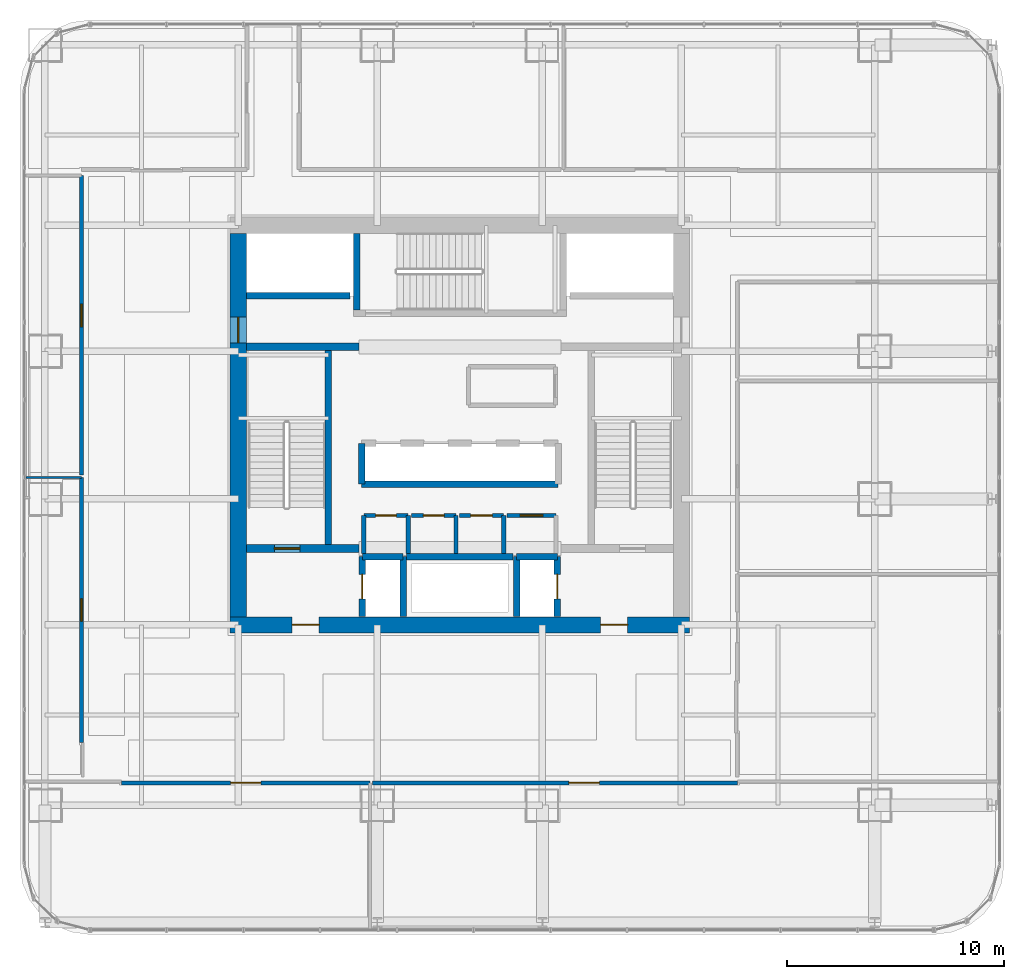
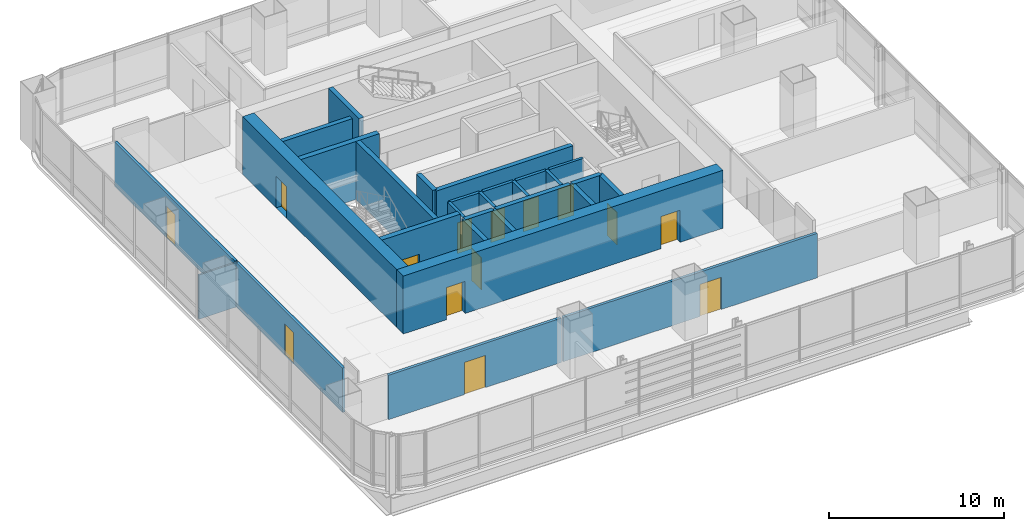
# One storey, part 27 of 35: 29 walls, 14 doors, 14 openings.
"""IFC4 building model written with IfcOpenShell, lengths in metres."""

from ifc_helpers import new_model, si_unit, direction, frame, frame_2d, origin, place, context, subcontext, project, spatial, rectangle, extrude, material, layer, layer_set, type_object, element, fill, save


model = new_model("IFC4")

# Units and contexts
model_context = context("Model", 3, precision=1e-05, world=origin(), true_north=direction((0.0, 1.0)))
body_context = subcontext(model_context, "Body", "Model", "MODEL_VIEW")
ifc_project = project(units=[si_unit("LENGTHUNIT", "METRE"), si_unit("AREAUNIT", "SQUARE_METRE"), si_unit("VOLUMEUNIT", "CUBIC_METRE"), si_unit("PLANEANGLEUNIT", "RADIAN"), si_unit("MASSUNIT", "GRAM", prefix="KILO")], contexts=[model_context])

# Site, building, storey
site_placement = place(None, origin())
site = spatial("IfcSite", under=ifc_project, at=site_placement, CompositionType="ELEMENT")
building_placement = place(site_placement, origin())
building = spatial("IfcBuilding", under=site, at=building_placement, Name="Punatoya Terracotta Tower", CompositionType="ELEMENT")
storey_placement = place(building_placement, frame((0.0, 0.0, 64.64990234375)))
storey = spatial("IfcBuildingStorey", under=building, at=storey_placement, Name="L14", CompositionType="ELEMENT", Elevation=64.64990234375)

# Wall, openings, doors
ifc_material_1 = material(Name="Concrete C60/75", Category="concrete")
ifc_layer_1 = layer(ifc_material_1, 0.75)
ifc_layer_set_1 = layer_set([ifc_layer_1], Name="Concrete C60/75")
wall_type_1 = type_object("IfcWallType", Name="WL-COR-750", PredefinedType="SHEAR", material=ifc_layer_set_1)
wall_1_placement = place(storey_placement, frame((10.574951171875, -9.199951171875, 0.0), z_axis=(0.0, 0.0, 1.0), x_axis=(-1.0, 0.0, 0.0)))
wall_1 = element("IfcWall", 1, at=wall_1_placement, inside=storey, type_object=wall_type_1, Name="L14 Core Shear Wall S", PredefinedType="SHEAR", context=body_context, shape_type="SweptSolid", body=[
    extrude(rectangle(XDim=21.14990234375, YDim=0.75, at=frame_2d((10.574951171875, 0.0))), origin(), (0.0, 0.0, 1.0), 4.050048828125),
])
opening_1_placement = place(wall_1_placement, frame((2.85009765625, 0.0, 0.0)))
opening_1 = element("IfcOpeningElement", 2, at=opening_1_placement, cuts=wall_1, Name="Opening FD-L1", PredefinedType="OPENING", context=body_context, shape_type="SweptSolid", body=[
    extrude(rectangle(XDim=1.25, YDim=2.25, at=frame_2d((0.625, 1.125))), frame((0.0, 0.385009765625, 0.0), z_axis=(0.0, -1.0, 0.0), x_axis=(1.0, 0.0, 0.0)), (0.0, 0.0, 1.0), 0.77001953125),
])
opening_2_placement = place(wall_1_placement, frame((17.050048828125, 0.0, 0.0)))
opening_2 = element("IfcOpeningElement", 3, at=opening_2_placement, cuts=wall_1, Name="Opening FD-L1", PredefinedType="OPENING", context=body_context, shape_type="SweptSolid", body=[
    extrude(rectangle(XDim=1.25, YDim=2.25, at=frame_2d((0.625, 1.125))), frame((0.0, 0.385009765625, 0.0), z_axis=(0.0, -1.0, 0.0), x_axis=(1.0, 0.0, 0.0)), (0.0, 0.0, 1.0), 0.77001953125),
])
ifc_material_2 = material(Name="Galvanised Steel Smokeproof Fire Door", Category="steel")
door_type_1 = type_object("IfcDoorType", Name="DR-FFL-1250", OperationType="NOTDEFINED", PredefinedType="DOOR", material=ifc_material_2)
door_1_placement = place(opening_1_placement, origin())
door_1 = element("IfcDoor", 4, at=door_1_placement, inside=storey, type_object=door_type_1, Name="L14 East Firefighting Lobby Corridor Fire Door", OperationType="SINGLE_SWING_LEFT", OverallHeight=2.25, OverallWidth=1.25, PredefinedType="DOOR", context=body_context, shape_type="SweptSolid", body=[
    extrude(rectangle(XDim=1.25, YDim=2.25, at=frame_2d((0.625, 1.125))), frame((0.0, 0.02490234375, 0.0), z_axis=(0.0, -1.0, 0.0), x_axis=(1.0, 0.0, 0.0)), (0.0, 0.0, 1.0), 0.050048828125),
])
fill(opening_1, door_1)
door_2_placement = place(opening_2_placement, origin())
door_2 = element("IfcDoor", 5, at=door_2_placement, inside=storey, type_object=door_type_1, Name="L14 West Firefighting Lobby Corridor Fire Door", OperationType="SINGLE_SWING_RIGHT", OverallHeight=2.25, OverallWidth=1.25, PredefinedType="DOOR", context=body_context, shape_type="SweptSolid", body=[
    extrude(rectangle(XDim=1.25, YDim=2.25, at=frame_2d((0.625, 1.125))), frame((0.0, 0.02490234375, 0.0), z_axis=(0.0, -1.0, 0.0), x_axis=(1.0, 0.0, 0.0)), (0.0, 0.0, 1.0), 0.050048828125),
])
fill(opening_2, door_2)

# Wall, opening, door
wall_2_placement = place(storey_placement, frame((-10.199951171875, -8.824951171875, 0.0), z_axis=(0.0, 0.0, 1.0), x_axis=(0.0, 1.0, 0.0)))
wall_2 = element("IfcWall", 6, at=wall_2_placement, inside=storey, type_object=wall_type_1, Name="L14 Core Shear Wall W", PredefinedType="SHEAR", context=body_context, shape_type="SweptSolid", body=[
    extrude(rectangle(XDim=17.64990234375, YDim=0.75, at=frame_2d((8.824951171875, 0.0))), origin(), (0.0, 0.0, 1.0), 4.050048828125),
])
opening_3_placement = place(wall_2_placement, frame((12.614990234375, 0.0, 0.0)))
opening_3 = element("IfcOpeningElement", 7, at=opening_3_placement, cuts=wall_2, Name="Opening SD-01", PredefinedType="OPENING", context=body_context, shape_type="SweptSolid", body=[
    extrude(rectangle(XDim=1.179931640625, YDim=2.199951171875, at=frame_2d((0.58984375, 1.10009765625))), frame((0.0, 0.385009765625, 0.0), z_axis=(0.0, -1.0, 0.0), x_axis=(1.0, 0.0, 0.0)), (0.0, 0.0, 1.0), 0.77001953125),
])
ifc_material_3 = material(Name="Galvanised Steel Pressurized Stair Fire Door", Category="steel")
door_type_2 = type_object("IfcDoorType", Name="DR-STR-1180", OperationType="NOTDEFINED", PredefinedType="DOOR", material=ifc_material_3)
door_3_placement = place(opening_3_placement, origin())
door_3 = element("IfcDoor", 8, at=door_3_placement, inside=storey, type_object=door_type_2, Name="L14 Central Lift Lobby West Fire Door", OperationType="SINGLE_SWING_LEFT", OverallHeight=2.199951171875, OverallWidth=1.179931640625, PredefinedType="DOOR", context=body_context, shape_type="SweptSolid", body=[
    extrude(rectangle(XDim=1.179931640625, YDim=2.199951171875, at=frame_2d((0.58984375, 1.10009765625))), frame((0.0, 0.02490234375, 0.0), z_axis=(0.0, -1.0, 0.0), x_axis=(1.0, 0.0, 0.0)), (0.0, 0.0, 1.0), 0.050048828125),
])
fill(opening_3, door_3)

ifc_material_4 = material(Name="Gypsum Fireboard + Steel Stud", Category="steel")
ifc_layer_2 = layer(ifc_material_4, 0.179931640625)
ifc_layer_set_2 = layer_set([ifc_layer_2], Name="Gypsum Fireboard + Steel Stud")
wall_type_2 = type_object("IfcWallType", Name="WL-CORR-180", PredefinedType="PARTITIONING", material=ifc_layer_set_2)
wall_3_placement = place(storey_placement, frame((4.419921875, -4.159912109375, 0.0), z_axis=(0.0, 0.0, 1.0), x_axis=(-1.0, 0.0, 0.0)))
wall_3 = element("IfcWall", 9, at=wall_3_placement, inside=storey, type_object=wall_type_2, Name="L14 Core Reprographics Studio Partition 09", PredefinedType="PARTITIONING", context=body_context, shape_type="SweptSolid", body=[
    extrude(rectangle(XDim=2.239990234375, YDim=0.179931640625, at=frame_2d((1.1201171875, 0.0))), origin(), (0.0, 0.0, 1.0), 3.81005859375),
])
opening_4_placement = place(wall_3_placement, frame((0.594970703125, 0.0, 0.0)))
opening_4 = element("IfcOpeningElement", 10, at=opening_4_placement, cuts=wall_3, Name="Opening OD-01", PredefinedType="OPENING", context=body_context, shape_type="SweptSolid", body=[
    extrude(rectangle(XDim=1.050048828125, YDim=2.199951171875, at=frame_2d((0.52490234375, 1.10009765625))), frame((0.0, 0.099853515625, 0.0), z_axis=(0.0, -1.0, 0.0), x_axis=(1.0, 0.0, 0.0)), (0.0, 0.0, 1.0), 0.199951171875),
])
ifc_material_5 = material(Name="Bengal Teak Solid-Core Leaf")
door_type_3 = type_object("IfcDoorType", Name="DR-OFF-1050", OperationType="NOTDEFINED", PredefinedType="DOOR", material=ifc_material_5)
door_4_placement = place(opening_4_placement, origin())
door_4 = element("IfcDoor", 11, at=door_4_placement, inside=storey, type_object=door_type_3, Name="L14 Reprographics Studio Door", OperationType="SINGLE_SWING_RIGHT", OverallHeight=2.199951171875, OverallWidth=1.050048828125, PredefinedType="DOOR", context=body_context, shape_type="SweptSolid", body=[
    extrude(rectangle(XDim=1.050048828125, YDim=2.199951171875, at=frame_2d((0.52490234375, 1.10009765625))), frame((0.0, 0.02490234375, 0.0), z_axis=(0.0, -1.0, 0.0), x_axis=(1.0, 0.0, 0.0)), (0.0, 0.0, 1.0), 0.050048828125),
])
fill(opening_4, door_4)

wall_4_placement = place(storey_placement, frame((-15.570068359375, -16.469970703125, 0.0), z_axis=(0.0, 0.0, 1.0), x_axis=(1.0, 0.0, 0.0)))
wall_4 = element("IfcWall", 12, at=wall_4_placement, inside=storey, type_object=wall_type_2, Name="L14 Open-Plan Plenary Seminar Room Partition 15", PredefinedType="PARTITIONING", context=body_context, shape_type="SweptSolid", body=[
    extrude(rectangle(XDim=11.427978515625, YDim=0.179931640625, at=frame_2d((5.7138671875, 0.0))), origin(), (0.0, 0.0, 1.0), 3.10400390625),
])
opening_5_placement = place(wall_4_placement, frame((5.013916015625, 0.0, 0.0)))
opening_5 = element("IfcOpeningElement", 13, at=opening_5_placement, cuts=wall_4, Name="Opening BD-01", PredefinedType="OPENING", context=body_context, shape_type="SweptSolid", body=[
    extrude(rectangle(XDim=1.39990234375, YDim=2.25, at=frame_2d((0.699951171875, 1.125))), frame((0.0, 0.099853515625, 0.0), z_axis=(0.0, -1.0, 0.0), x_axis=(1.0, 0.0, 0.0)), (0.0, 0.0, 1.0), 0.199951171875),
])
ifc_material_6 = material(Name="Bengal Teak Acoustic Leaf")
door_type_4 = type_object("IfcDoorType", Name="DR-BRD-1400", OperationType="NOTDEFINED", PredefinedType="DOOR", material=ifc_material_6)
door_5_placement = place(opening_5_placement, origin())
door_5 = element("IfcDoor", 14, at=door_5_placement, inside=storey, type_object=door_type_4, Name="L14 Open-Plan Plenary Seminar Room Door", OperationType="SINGLE_SWING_RIGHT", OverallHeight=2.25, OverallWidth=1.39990234375, PredefinedType="DOOR", context=body_context, shape_type="SweptSolid", body=[
    extrude(rectangle(XDim=1.39990234375, YDim=2.25, at=frame_2d((0.699951171875, 1.125))), frame((0.0, 0.02490234375, 0.0), z_axis=(0.0, -1.0, 0.0), x_axis=(1.0, 0.0, 0.0)), (0.0, 0.0, 1.0), 0.050048828125),
])
fill(opening_5, door_5)

wall_5_placement = place(storey_placement, frame((-4.02197265625, -16.469970703125, 0.0), z_axis=(0.0, 0.0, 1.0), x_axis=(1.0, 0.0, 0.0)))
wall_5 = element("IfcWall", 15, at=wall_5_placement, inside=storey, type_object=wall_type_2, Name="L14 Client Strategy Boardroom Partition 17", PredefinedType="PARTITIONING", context=body_context, shape_type="SweptSolid", body=[
    extrude(rectangle(XDim=16.7919921875, YDim=0.179931640625, at=frame_2d((8.39599609375, 0.0))), origin(), (0.0, 0.0, 1.0), 3.10400390625),
])
opening_6_placement = place(wall_5_placement, frame((9.0458984375, 0.0, 0.0)))
opening_6 = element("IfcOpeningElement", 16, at=opening_6_placement, cuts=wall_5, Name="Opening BD-01", PredefinedType="OPENING", context=body_context, shape_type="SweptSolid", body=[
    extrude(rectangle(XDim=1.39990234375, YDim=2.25, at=frame_2d((0.699951171875, 1.125))), frame((0.0, 0.099853515625, 0.0), z_axis=(0.0, -1.0, 0.0), x_axis=(1.0, 0.0, 0.0)), (0.0, 0.0, 1.0), 0.199951171875),
])
door_6_placement = place(opening_6_placement, origin())
door_6 = element("IfcDoor", 17, at=door_6_placement, inside=storey, type_object=door_type_4, Name="L14 Client Strategy Boardroom Door", OperationType="SINGLE_SWING_LEFT", OverallHeight=2.25, OverallWidth=1.39990234375, PredefinedType="DOOR", context=body_context, shape_type="SweptSolid", body=[
    extrude(rectangle(XDim=1.39990234375, YDim=2.25, at=frame_2d((0.699951171875, 1.125))), frame((0.0, 0.02490234375, 0.0), z_axis=(0.0, -1.0, 0.0), x_axis=(1.0, 0.0, 0.0)), (0.0, 0.0, 1.0), 0.050048828125),
])
fill(opening_6, door_6)

wall_6_placement = place(storey_placement, frame((-17.419921875, -2.409912109375, 0.0), z_axis=(0.0, 0.0, 1.0), x_axis=(0.0, -1.0, 0.0)))
wall_6 = element("IfcWall", 18, at=wall_6_placement, inside=storey, type_object=wall_type_2, Name="L14 Open-Plan Executive Briefing Room Partition 24", PredefinedType="PARTITIONING", context=body_context, shape_type="SweptSolid", body=[
    extrude(rectangle(XDim=12.210205078125, YDim=0.179931640625, at=frame_2d((6.10498046875, 0.0))), origin(), (0.0, 0.0, 1.0), 3.10400390625),
])
opening_7_placement = place(wall_6_placement, frame((5.594970703125, 0.0, 0.0)))
opening_7 = element("IfcOpeningElement", 19, at=opening_7_placement, cuts=wall_6, Name="Opening MD-01", PredefinedType="OPENING", context=body_context, shape_type="SweptSolid", body=[
    extrude(rectangle(XDim=1.02001953125, YDim=2.199951171875, at=frame_2d((0.510009765625, 1.10009765625))), frame((0.0, 0.099853515625, 0.0), z_axis=(0.0, -1.0, 0.0), x_axis=(1.0, 0.0, 0.0)), (0.0, 0.0, 1.0), 0.199951171875),
])
ifc_material_7 = material(Name="Aluminium + Acoustic Glass Leaf", Category="aluminium")
door_type_5 = type_object("IfcDoorType", Name="DR-MTG-1020", OperationType="NOTDEFINED", PredefinedType="DOOR", material=ifc_material_7)
door_7_placement = place(opening_7_placement, origin())
door_7 = element("IfcDoor", 20, at=door_7_placement, inside=storey, type_object=door_type_5, Name="L14 Open-Plan Executive Briefing Room Door", OperationType="SINGLE_SWING_LEFT", OverallHeight=2.199951171875, OverallWidth=1.02001953125, PredefinedType="DOOR", context=body_context, shape_type="SweptSolid", body=[
    extrude(rectangle(XDim=1.02001953125, YDim=2.199951171875, at=frame_2d((0.510009765625, 1.10009765625))), frame((0.0, 0.02490234375, 0.0), z_axis=(0.0, -1.0, 0.0), x_axis=(1.0, 0.0, 0.0)), (0.0, 0.0, 1.0), 0.050048828125),
])
fill(opening_7, door_7)

wall_7_placement = place(storey_placement, frame((-17.419921875, 11.489990234375, 0.0), z_axis=(0.0, 0.0, 1.0), x_axis=(0.0, -1.0, 0.0)))
wall_7 = element("IfcWall", 21, at=wall_7_placement, inside=storey, type_object=wall_type_2, Name="L14 Open-Plan Wellness Focus Room Partition 31", PredefinedType="PARTITIONING", context=body_context, shape_type="SweptSolid", body=[
    extrude(rectangle(XDim=13.780029296875, YDim=0.179931640625, at=frame_2d((6.89013671875, 0.0))), origin(), (0.0, 0.0, 1.0), 3.10400390625),
])
opening_8_placement = place(wall_7_placement, frame((5.9150390625, 0.0, 0.0)))
opening_8 = element("IfcOpeningElement", 22, at=opening_8_placement, cuts=wall_7, Name="Opening OD-01", PredefinedType="OPENING", context=body_context, shape_type="SweptSolid", body=[
    extrude(rectangle(XDim=1.050048828125, YDim=2.199951171875, at=frame_2d((0.52490234375, 1.10009765625))), frame((0.0, 0.099853515625, 0.0), z_axis=(0.0, -1.0, 0.0), x_axis=(1.0, 0.0, 0.0)), (0.0, 0.0, 1.0), 0.199951171875),
])
door_8_placement = place(opening_8_placement, origin())
door_8 = element("IfcDoor", 23, at=door_8_placement, inside=storey, type_object=door_type_3, Name="L14 Open-Plan Wellness Focus Room Door", OperationType="SINGLE_SWING_RIGHT", OverallHeight=2.199951171875, OverallWidth=1.050048828125, PredefinedType="DOOR", context=body_context, shape_type="SweptSolid", body=[
    extrude(rectangle(XDim=1.050048828125, YDim=2.199951171875, at=frame_2d((0.52490234375, 1.10009765625))), frame((0.0, 0.02490234375, 0.0), z_axis=(0.0, -1.0, 0.0), x_axis=(1.0, 0.0, 0.0)), (0.0, 0.0, 1.0), 0.050048828125),
])
fill(opening_8, door_8)

# Walls
ifc_material_8 = material(Name="Aluminium Framed Acoustic Glass Partition", Category="aluminium")
ifc_layer_3 = layer(ifc_material_8, 0.10009765625)
ifc_layer_set_3 = layer_set([ifc_layer_3], Name="Aluminium Framed Acoustic Glass Partition")
wall_type_3 = type_object("IfcWallType", Name="WL-GLZ-100", PredefinedType="PARTITIONING", material=ifc_layer_set_3)
wall_8_placement = place(storey_placement, frame((-19.969970703125, -2.409912109375, 0.0), z_axis=(0.0, 0.0, 1.0), x_axis=(1.0, 0.0, 0.0)))
element("IfcWall", 24, at=wall_8_placement, inside=storey, type_object=wall_type_3, Name="L14 Open-Plan Executive Briefing Room Partition 23", PredefinedType="PARTITIONING", context=body_context, shape_type="SweptSolid", body=[
    extrude(rectangle(XDim=2.550048828125, YDim=0.10009765625, at=frame_2d((1.27490234375, 0.0))), origin(), (0.0, 0.0, 1.0), 3.10400390625),
])
ifc_material_9 = material(Name="Concrete C40/50", Category="concrete")
ifc_layer_4 = layer(ifc_material_9, 0.199951171875)
ifc_layer_set_4 = layer_set([ifc_layer_4], Name="Concrete C40/50")
wall_type_4 = type_object("IfcWallType", Name="WL-INT-200", PredefinedType="SOLIDWALL", material=ifc_layer_set_4)
wall_9_placement = place(storey_placement, frame((-2.3798828125, -5.89990234375, 0.0), z_axis=(0.0, 0.0, 1.0), x_axis=(0.0, 1.0, 0.0)))
element("IfcWall", 25, at=wall_9_placement, inside=storey, type_object=wall_type_4, Name="L14 Male Washroom Partition 01", PredefinedType="SOLIDWALL", context=body_context, shape_type="SweptSolid", body=[
    extrude(rectangle(XDim=1.739990234375, YDim=0.199951171875, at=frame_2d((0.8701171875, 0.0))), origin(), (0.0, 0.0, 1.0), 3.81005859375),
])

# Wall, opening, door
wall_10_placement = place(storey_placement, frame((-2.3798828125, -4.159912109375, 0.0), z_axis=(0.0, 0.0, 1.0), x_axis=(-1.0, 0.0, 0.0)))
wall_10 = element("IfcWall", 26, at=wall_10_placement, inside=storey, type_object=wall_type_4, Name="L14 Male Washroom Partition 02", PredefinedType="SOLIDWALL", context=body_context, shape_type="SweptSolid", body=[
    extrude(rectangle(XDim=2.0400390625, YDim=0.199951171875, at=frame_2d((1.02001953125, 0.0))), origin(), (0.0, 0.0, 1.0), 3.81005859375),
])
opening_9_placement = place(wall_10_placement, frame((0.544921875, 0.0, 0.0)))
opening_9 = element("IfcOpeningElement", 27, at=opening_9_placement, cuts=wall_10, Name="Opening WD-01", PredefinedType="OPENING", context=body_context, shape_type="SweptSolid", body=[
    extrude(rectangle(XDim=0.949951171875, YDim=2.14990234375, at=frame_2d((0.47509765625, 1.074951171875))), frame((0.0, 0.10986328125, 0.0), z_axis=(0.0, -1.0, 0.0), x_axis=(1.0, 0.0, 0.0)), (0.0, 0.0, 1.0), 0.219970703125),
])
ifc_material_10 = material(Name="Moisture-Resistant Laminate Timber Leaf", Category="wood")
door_type_6 = type_object("IfcDoorType", Name="DR-WC-950", OperationType="NOTDEFINED", PredefinedType="DOOR", material=ifc_material_10)
door_9_placement = place(opening_9_placement, origin())
door_9 = element("IfcDoor", 28, at=door_9_placement, inside=storey, type_object=door_type_6, Name="L14 Male Washroom Door", OperationType="SINGLE_SWING_LEFT", OverallHeight=2.14990234375, OverallWidth=0.949951171875, PredefinedType="DOOR", context=body_context, shape_type="SweptSolid", body=[
    extrude(rectangle(XDim=0.949951171875, YDim=2.14990234375, at=frame_2d((0.47509765625, 1.074951171875))), frame((0.0, 0.02490234375, 0.0), z_axis=(0.0, -1.0, 0.0), x_axis=(1.0, 0.0, 0.0)), (0.0, 0.0, 1.0), 0.050048828125),
])
fill(opening_9, door_9)

# Walls
for number, where, z_axis, x_axis, name in (
    (29, (-4.419921875, -4.159912109375, 0.0), (0.0, 0.0, 1.0), (0.0, -1.0, 0.0), "L14 Male Washroom Partition 03"),
    (30, (-0.179931640625, -5.89990234375, 0.0), (0.0, 0.0, 1.0), (0.0, 1.0, 0.0), "L14 Female Washroom Partition 04"),
):
    element("IfcWall", number, at=place(storey_placement, frame(where, z_axis=z_axis, x_axis=x_axis)), inside=storey, type_object=wall_type_4, Name=name, PredefinedType="SOLIDWALL", context=body_context, shape_type="SweptSolid", body=[
        extrude(rectangle(XDim=1.739990234375, YDim=0.199951171875, at=frame_2d((0.8701171875, 0.0))), origin(), (0.0, 0.0, 1.0), 3.81005859375),
    ])

# Wall, opening, door
wall_11_placement = place(storey_placement, frame((-0.179931640625, -4.159912109375, 0.0), z_axis=(0.0, 0.0, 1.0), x_axis=(-1.0, 0.0, 0.0)))
wall_11 = element("IfcWall", 31, at=wall_11_placement, inside=storey, type_object=wall_type_4, Name="L14 Female Washroom Partition 05", PredefinedType="SOLIDWALL", context=body_context, shape_type="SweptSolid", body=[
    extrude(rectangle(XDim=2.0400390625, YDim=0.199951171875, at=frame_2d((1.02001953125, 0.0))), origin(), (0.0, 0.0, 1.0), 3.81005859375),
])
opening_10_placement = place(wall_11_placement, frame((0.544921875, 0.0, 0.0)))
opening_10 = element("IfcOpeningElement", 32, at=opening_10_placement, cuts=wall_11, Name="Opening WD-01", PredefinedType="OPENING", context=body_context, shape_type="SweptSolid", body=[
    extrude(rectangle(XDim=0.949951171875, YDim=2.14990234375, at=frame_2d((0.47509765625, 1.074951171875))), frame((0.0, 0.10986328125, 0.0), z_axis=(0.0, -1.0, 0.0), x_axis=(1.0, 0.0, 0.0)), (0.0, 0.0, 1.0), 0.219970703125),
])
door_10_placement = place(opening_10_placement, origin())
door_10 = element("IfcDoor", 33, at=door_10_placement, inside=storey, type_object=door_type_6, Name="L14 Female Washroom Door", OperationType="SINGLE_SWING_RIGHT", OverallHeight=2.14990234375, OverallWidth=0.949951171875, PredefinedType="DOOR", context=body_context, shape_type="SweptSolid", body=[
    extrude(rectangle(XDim=0.949951171875, YDim=2.14990234375, at=frame_2d((0.47509765625, 1.074951171875))), frame((0.0, 0.02490234375, 0.0), z_axis=(0.0, -1.0, 0.0), x_axis=(1.0, 0.0, 0.0)), (0.0, 0.0, 1.0), 0.050048828125),
])
fill(opening_10, door_10)

# Wall
wall_12_placement = place(storey_placement, frame((2.02001953125, -5.89990234375, 0.0), z_axis=(0.0, 0.0, 1.0), x_axis=(0.0, 1.0, 0.0)))
element("IfcWall", 34, at=wall_12_placement, inside=storey, type_object=wall_type_4, Name="L14 Accessible Universal Washroom Partition 06", PredefinedType="SOLIDWALL", context=body_context, shape_type="SweptSolid", body=[
    extrude(rectangle(XDim=1.739990234375, YDim=0.199951171875, at=frame_2d((0.8701171875, 0.0))), origin(), (0.0, 0.0, 1.0), 3.81005859375),
])

# Wall, opening, door
wall_13_placement = place(storey_placement, frame((2.02001953125, -4.159912109375, 0.0), z_axis=(0.0, 0.0, 1.0), x_axis=(-1.0, 0.0, 0.0)))
wall_13 = element("IfcWall", 35, at=wall_13_placement, inside=storey, type_object=wall_type_4, Name="L14 Accessible Universal Washroom Partition 07", PredefinedType="SOLIDWALL", context=body_context, shape_type="SweptSolid", body=[
    extrude(rectangle(XDim=2.0400390625, YDim=0.199951171875, at=frame_2d((1.02001953125, 0.0))), origin(), (0.0, 0.0, 1.0), 3.81005859375),
])
opening_11_placement = place(wall_13_placement, frame((0.52001953125, 0.0, 0.0)))
opening_11 = element("IfcOpeningElement", 36, at=opening_11_placement, cuts=wall_13, Name="Opening AWD-1", PredefinedType="OPENING", context=body_context, shape_type="SweptSolid", body=[
    extrude(rectangle(XDim=1.0, YDim=2.14990234375, at=frame_2d((0.5, 1.074951171875))), frame((0.0, 0.10986328125, 0.0), z_axis=(0.0, -1.0, 0.0), x_axis=(1.0, 0.0, 0.0)), (0.0, 0.0, 1.0), 0.219970703125),
])
ifc_material_11 = material(Name="Bengal Teak Accessible WC Leaf")
door_type_7 = type_object("IfcDoorType", Name="DR-ACC-1000", OperationType="NOTDEFINED", PredefinedType="DOOR", material=ifc_material_11)
door_11_placement = place(opening_11_placement, origin())
door_11 = element("IfcDoor", 37, at=door_11_placement, inside=storey, type_object=door_type_7, Name="L14 Accessible Universal Washroom Door", OperationType="SINGLE_SWING_LEFT", OverallHeight=2.14990234375, OverallWidth=1.0, PredefinedType="DOOR", context=body_context, shape_type="SweptSolid", body=[
    extrude(rectangle(XDim=1.0, YDim=2.14990234375, at=frame_2d((0.5, 1.074951171875))), frame((0.0, 0.02490234375, 0.0), z_axis=(0.0, -1.0, 0.0), x_axis=(1.0, 0.0, 0.0)), (0.0, 0.0, 1.0), 0.050048828125),
])
fill(opening_11, door_11)

# Walls
ifc_layer_5 = layer(ifc_material_9, 0.300048828125)
ifc_layer_set_5 = layer_set([ifc_layer_5], Name="Concrete C40/50")
wall_type_5 = type_object("IfcWallType", Name="WL-SHF-300", PredefinedType="SOLIDWALL", material=ifc_layer_set_5)
wall_14_placement = place(storey_placement, frame((-6.050048828125, -5.5, 0.0), z_axis=(0.0, 0.0, 1.0), x_axis=(0.0, 1.0, 0.0)))
element("IfcWall", 38, at=wall_14_placement, inside=storey, type_object=wall_type_5, Name="L14 Structural Stair Shaft Wall SW-ST1-E", PredefinedType="SOLIDWALL", context=body_context, shape_type="SweptSolid", body=[
    extrude(rectangle(XDim=8.949951171875, YDim=0.300048828125, at=frame_2d((4.47509765625, 0.0))), origin(), (0.0, 0.0, 1.0), 4.050048828125),
])
wall_15_placement = place(storey_placement, frame((-4.75, 5.300048828125, 0.0), z_axis=(0.0, 0.0, 1.0), x_axis=(0.0, 1.0, 0.0)))
element("IfcWall", 39, at=wall_15_placement, inside=storey, type_object=wall_type_5, Name="L14 Structural Stair Shaft Wall SW-ST3-W", PredefinedType="SOLIDWALL", context=body_context, shape_type="SweptSolid", body=[
    extrude(rectangle(XDim=3.52490234375, YDim=0.300048828125, at=frame_2d((1.762451171875, 0.0))), origin(), (0.0, 0.0, 1.0), 4.050048828125),
])

# Wall, opening, door
wall_16_placement = place(storey_placement, frame((-4.489990234375, -8.820068359375, 0.0), z_axis=(0.0, 0.0, 1.0), x_axis=(0.0, 1.0, 0.0)))
wall_16 = element("IfcWall", 40, at=wall_16_placement, inside=storey, type_object=wall_type_5, Name="L14 FFL-1 Front Hoistway Wall", PredefinedType="SOLIDWALL", context=body_context, shape_type="SweptSolid", body=[
    extrude(rectangle(XDim=2.77001953125, YDim=0.300048828125, at=frame_2d((1.385009765625, 0.0))), origin(), (0.0, 0.0, 1.0), 3.81005859375),
])
opening_12_placement = place(wall_16_placement, frame((0.824951171875, 0.0, 0.0)))
opening_12 = element("IfcOpeningElement", 41, at=opening_12_placement, cuts=wall_16, Name="Opening LD-02", PredefinedType="OPENING", context=body_context, shape_type="SweptSolid", body=[
    extrude(rectangle(XDim=1.1201171875, YDim=2.25, at=frame_2d((0.56005859375, 1.125))), frame((0.0, 0.159912109375, 0.0), z_axis=(0.0, -1.0, 0.0), x_axis=(1.0, 0.0, 0.0)), (0.0, 0.0, 1.0), 0.320068359375),
])
ifc_material_12 = material(Name="Stainless Steel Lift Landing Door", Category="steel")
door_type_8 = type_object("IfcDoorType", Name="DR-LND-1120", OperationType="NOTDEFINED", PredefinedType="DOOR", material=ifc_material_12)
door_12_placement = place(opening_12_placement, origin())
door_12 = element("IfcDoor", 42, at=door_12_placement, inside=storey, type_object=door_type_8, Name="L14 Firefighting Lift FFL-1 Sliding Landing Door", OperationType="SLIDING_TO_LEFT", OverallHeight=2.25, OverallWidth=1.1201171875, PredefinedType="DOOR", context=body_context, shape_type="SweptSolid", body=[
    extrude(rectangle(XDim=1.1201171875, YDim=2.25, at=frame_2d((0.56005859375, 1.125))), frame((0.0, 0.02490234375, 0.0), z_axis=(0.0, -1.0, 0.0), x_axis=(1.0, 0.0, 0.0)), (0.0, 0.0, 1.0), 0.050048828125),
])
fill(opening_12, door_12)

# Walls
wall_17_placement = place(storey_placement, frame((-2.610107421875, -8.820068359375, 0.0), z_axis=(0.0, 0.0, 1.0), x_axis=(0.0, 1.0, 0.0)))
element("IfcWall", 43, at=wall_17_placement, inside=storey, type_object=wall_type_5, Name="L14 FFL-1 Rear Hoistway Wall", PredefinedType="SOLIDWALL", context=body_context, shape_type="SweptSolid", body=[
    extrude(rectangle(XDim=2.77001953125, YDim=0.300048828125, at=frame_2d((1.385009765625, 0.0))), origin(), (0.0, 0.0, 1.0), 3.81005859375),
])
wall_18_placement = place(storey_placement, frame((-4.489990234375, -6.050048828125, 0.0), z_axis=(0.0, 0.0, 1.0), x_axis=(1.0, 0.0, 0.0)))
element("IfcWall", 44, at=wall_18_placement, inside=storey, type_object=wall_type_5, Name="L14 FFL-1 North Hoistway Wall", PredefinedType="SOLIDWALL", context=body_context, shape_type="SweptSolid", body=[
    extrude(rectangle(XDim=1.8798828125, YDim=0.300048828125, at=frame_2d((0.93994140625, 0.0))), origin(), (0.0, 0.0, 1.0), 3.81005859375),
])

# Wall, opening, door
wall_19_placement = place(storey_placement, frame((4.489990234375, -8.820068359375, 0.0), z_axis=(0.0, 0.0, 1.0), x_axis=(0.0, 1.0, 0.0)))
wall_19 = element("IfcWall", 45, at=wall_19_placement, inside=storey, type_object=wall_type_5, Name="L14 FFL-2 Front Hoistway Wall", PredefinedType="SOLIDWALL", context=body_context, shape_type="SweptSolid", body=[
    extrude(rectangle(XDim=2.77001953125, YDim=0.300048828125, at=frame_2d((1.385009765625, 0.0))), origin(), (0.0, 0.0, 1.0), 3.81005859375),
])
opening_13_placement = place(wall_19_placement, frame((0.824951171875, 0.0, 0.0)))
opening_13 = element("IfcOpeningElement", 46, at=opening_13_placement, cuts=wall_19, Name="Opening LD-02", PredefinedType="OPENING", context=body_context, shape_type="SweptSolid", body=[
    extrude(rectangle(XDim=1.1201171875, YDim=2.25, at=frame_2d((0.56005859375, 1.125))), frame((0.0, 0.159912109375, 0.0), z_axis=(0.0, -1.0, 0.0), x_axis=(1.0, 0.0, 0.0)), (0.0, 0.0, 1.0), 0.320068359375),
])
door_13_placement = place(opening_13_placement, origin())
door_13 = element("IfcDoor", 47, at=door_13_placement, inside=storey, type_object=door_type_8, Name="L14 Firefighting Lift FFL-2 Sliding Landing Door", OperationType="SLIDING_TO_RIGHT", OverallHeight=2.25, OverallWidth=1.1201171875, PredefinedType="DOOR", context=body_context, shape_type="SweptSolid", body=[
    extrude(rectangle(XDim=1.1201171875, YDim=2.25, at=frame_2d((0.56005859375, 1.125))), frame((0.0, 0.02490234375, 0.0), z_axis=(0.0, -1.0, 0.0), x_axis=(1.0, 0.0, 0.0)), (0.0, 0.0, 1.0), 0.050048828125),
])
fill(opening_13, door_13)

# Walls
wall_20_placement = place(storey_placement, frame((2.610107421875, -8.820068359375, 0.0), z_axis=(0.0, 0.0, 1.0), x_axis=(0.0, 1.0, 0.0)))
element("IfcWall", 48, at=wall_20_placement, inside=storey, type_object=wall_type_5, Name="L14 FFL-2 Rear Hoistway Wall", PredefinedType="SOLIDWALL", context=body_context, shape_type="SweptSolid", body=[
    extrude(rectangle(XDim=2.77001953125, YDim=0.300048828125, at=frame_2d((1.385009765625, 0.0))), origin(), (0.0, 0.0, 1.0), 3.81005859375),
])
wall_21_placement = place(storey_placement, frame((2.610107421875, -6.050048828125, 0.0), z_axis=(0.0, 0.0, 1.0), x_axis=(1.0, 0.0, 0.0)))
element("IfcWall", 49, at=wall_21_placement, inside=storey, type_object=wall_type_5, Name="L14 FFL-2 North Hoistway Wall", PredefinedType="SOLIDWALL", context=body_context, shape_type="SweptSolid", body=[
    extrude(rectangle(XDim=1.8798828125, YDim=0.300048828125, at=frame_2d((0.93994140625, 0.0))), origin(), (0.0, 0.0, 1.0), 3.81005859375),
])
wall_22_placement = place(storey_placement, frame((-4.52001953125, -2.719970703125, 0.0), z_axis=(0.0, 0.0, 1.0), x_axis=(1.0, 0.0, 0.0)))
element("IfcWall", 50, at=wall_22_placement, inside=storey, type_object=wall_type_5, Name="L14 South Lift Bank Rear Shaft Wall", PredefinedType="SOLIDWALL", context=body_context, shape_type="SweptSolid", body=[
    extrude(rectangle(XDim=9.0400390625, YDim=0.300048828125, at=frame_2d((4.52001953125, 0.0))), origin(), (0.0, 0.0, 1.0), 3.81005859375),
])
wall_23_placement = place(storey_placement, frame((-4.52001953125, -2.719970703125, 0.0), z_axis=(0.0, 0.0, 1.0), x_axis=(0.0, 1.0, 0.0)))
element("IfcWall", 51, at=wall_23_placement, inside=storey, type_object=wall_type_5, Name="L14 South Lift Bank West End Wall", PredefinedType="SOLIDWALL", context=body_context, shape_type="SweptSolid", body=[
    extrude(rectangle(XDim=1.8798828125, YDim=0.300048828125, at=frame_2d((0.93994140625, 0.0))), origin(), (0.0, 0.0, 1.0), 3.81005859375),
])
wall_24_placement = place(storey_placement, frame((-9.820068359375, 5.949951171875, 0.0), z_axis=(0.0, 0.0, 1.0), x_axis=(1.0, 0.0, 0.0)))
element("IfcWall", 52, at=wall_24_placement, inside=storey, type_object=wall_type_5, Name="L14 Shuttle SL-1 South Hoistway Wall", PredefinedType="SOLIDWALL", context=body_context, shape_type="SweptSolid", body=[
    extrude(rectangle(XDim=4.760009765625, YDim=0.300048828125, at=frame_2d((2.3798828125, 0.0))), origin(), (0.0, 0.0, 1.0), 3.81005859375),
])
wall_25_placement = place(storey_placement, frame((-2.449951171875, -6.050048828125, 0.0), z_axis=(0.0, 0.0, 1.0), x_axis=(1.0, 0.0, 0.0)))
element("IfcWall", 53, at=wall_25_placement, inside=storey, type_object=wall_type_5, Name="L14 Observation Shuttle Rear Hoistway Wall", PredefinedType="SOLIDWALL", context=body_context, shape_type="SweptSolid", body=[
    extrude(rectangle(XDim=4.89990234375, YDim=0.300048828125, at=frame_2d((2.449951171875, 0.0))), origin(), (0.0, 0.0, 1.0), 3.81005859375),
])

# Wall, opening, door
ifc_material_13 = material(Name="Concrete C50/60", Category="concrete")
ifc_layer_6 = layer(ifc_material_13, 0.35009765625)
ifc_layer_set_6 = layer_set([ifc_layer_6], Name="Concrete C50/60")
wall_type_6 = type_object("IfcWallType", Name="WL-SHF-350", PredefinedType="SOLIDWALL", material=ifc_layer_set_6)
wall_26_placement = place(storey_placement, frame((-9.824951171875, -5.679931640625, 0.0), z_axis=(0.0, 0.0, 1.0), x_axis=(1.0, 0.0, 0.0)))
wall_26 = element("IfcWall", 54, at=wall_26_placement, inside=storey, type_object=wall_type_6, Name="L14 Core Web Wall CSW-L", PredefinedType="SOLIDWALL", context=body_context, shape_type="SweptSolid", body=[
    extrude(rectangle(XDim=5.175048828125, YDim=0.35009765625, at=frame_2d((2.58740234375, 0.0))), origin(), (0.0, 0.0, 1.0), 4.050048828125),
])
opening_14_placement = place(wall_26_placement, frame((1.284912109375, 0.0, 0.0)))
opening_14 = element("IfcOpeningElement", 55, at=opening_14_placement, cuts=wall_26, Name="Opening SD-01", PredefinedType="OPENING", context=body_context, shape_type="SweptSolid", body=[
    extrude(rectangle(XDim=1.179931640625, YDim=2.199951171875, at=frame_2d((0.58984375, 1.10009765625))), frame((0.0, 0.18505859375, 0.0), z_axis=(0.0, -1.0, 0.0), x_axis=(1.0, 0.0, 0.0)), (0.0, 0.0, 1.0), 0.3701171875),
])
door_14_placement = place(opening_14_placement, origin())
door_14 = element("IfcDoor", 56, at=door_14_placement, inside=storey, type_object=door_type_2, Name="L14 Stair ST-1 Smokeproof Lobby Fire Door", OperationType="SINGLE_SWING_LEFT", OverallHeight=2.199951171875, OverallWidth=1.179931640625, PredefinedType="DOOR", context=body_context, shape_type="SweptSolid", body=[
    extrude(rectangle(XDim=1.179931640625, YDim=2.199951171875, at=frame_2d((0.58984375, 1.10009765625))), frame((0.0, 0.02490234375, 0.0), z_axis=(0.0, -1.0, 0.0), x_axis=(1.0, 0.0, 0.0)), (0.0, 0.0, 1.0), 0.050048828125),
])
fill(opening_14, door_14)

# Wall
wall_27_placement = place(storey_placement, frame((-9.824951171875, 3.60009765625, 0.0), z_axis=(0.0, 0.0, 1.0), x_axis=(1.0, 0.0, 0.0)))
element("IfcWall", 57, at=wall_27_placement, inside=storey, type_object=wall_type_6, Name="L14 Core Web Wall CNW-L", PredefinedType="SOLIDWALL", context=body_context, shape_type="SweptSolid", body=[
    extrude(rectangle(XDim=5.175048828125, YDim=0.35009765625, at=frame_2d((2.58740234375, 0.0))), origin(), (0.0, 0.0, 1.0), 4.050048828125),
])

save(model, "model.ifc")
